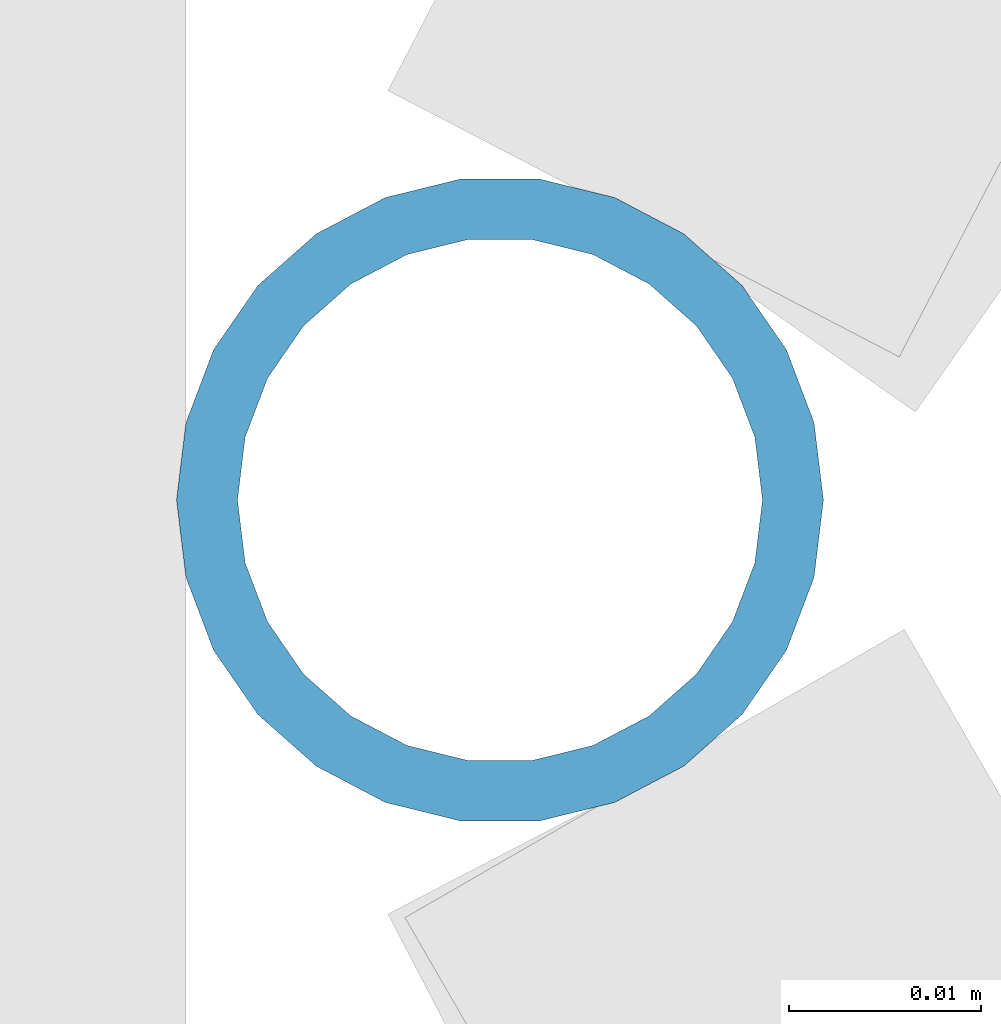
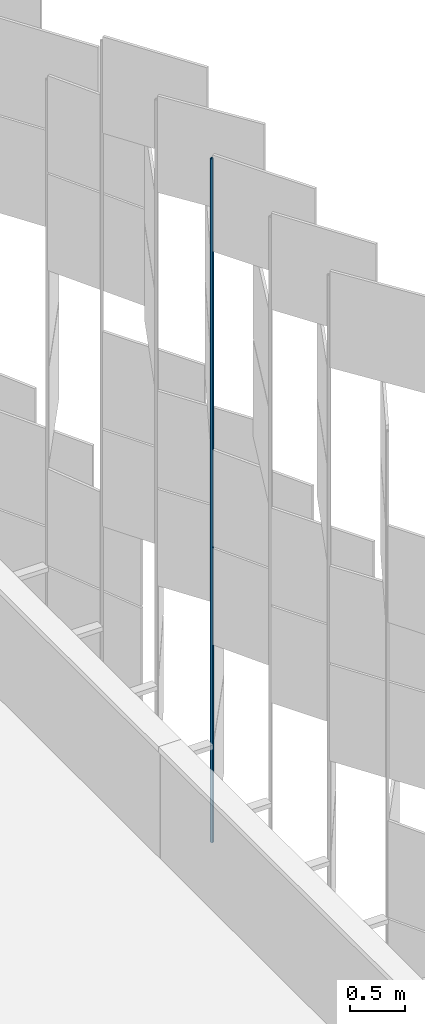
# One storey, part 274 of 483: 1 discrete accessory.
"""IFC4 building model written with IfcOpenShell, lengths in metres."""

from ifc_helpers import new_model, si_unit, direction, frame, origin, origin_2d, place, context, subcontext, project, spatial, hollow_circle, extrude, material, material_profile, profile_set, type_object, element, save


model = new_model("IFC4")

# Units and contexts
model_context = context("Model", 3, precision=1e-05, world=origin(), true_north=direction((0.0, 1.0)))
body_context = subcontext(model_context, "Body", "Model", "MODEL_VIEW")
ifc_project = project(units=[si_unit("LENGTHUNIT", "METRE"), si_unit("AREAUNIT", "SQUARE_METRE"), si_unit("VOLUMEUNIT", "CUBIC_METRE"), si_unit("PLANEANGLEUNIT", "RADIAN"), si_unit("MASSUNIT", "GRAM", prefix="KILO")], contexts=[model_context])

# Site, building, storey
site_placement = place(None, origin())
site = spatial("IfcSite", under=ifc_project, at=site_placement, CompositionType="ELEMENT")
building_placement = place(site_placement, origin())
building = spatial("IfcBuilding", under=site, at=building_placement, Name="Parallax Yard Mobility Hub", CompositionType="ELEMENT")
storey_placement = place(building_placement, frame((0.0, 0.0, 13.199951171875)))
storey = spatial("IfcBuildingStorey", under=building, at=storey_placement, Name="L04", CompositionType="ELEMENT", Elevation=13.199951171875)

# Discrete accessory
ifc_material = material(Name="Steel ASTM A500 Gr C, hot-dip galvanised", Category="steel")
ifc_material_profile = material_profile(ifc_material, hollow_circle(Radius=0.016845703125, WallThickness=0.003173828125, at=origin_2d()), Name="CHS 33.7x3.2")
ifc_profile_set = profile_set([ifc_material_profile], Name="Steel ASTM A500 Gr C, hot-dip galvanised")
discrete_accessory_type = type_object("IfcDiscreteAccessoryType", Name="Hinge post CHS 33.7x3.2", PredefinedType="BRACKET", material=ifc_profile_set)
discrete_accessory_placement = place(storey_placement, frame((225.300048828125, 74.998291015625, 0.0), z_axis=(0.0, 0.0, 1.0), x_axis=(1.0, 0.0, 0.0)))
element("IfcDiscreteAccessory", 1, at=discrete_accessory_placement, inside=storey, type_object=discrete_accessory_type, Name="Hinge post bay 39.1 level L04", PredefinedType="BRACKET", context=body_context, shape_type="SweptSolid", body=[
    extrude(hollow_circle(Radius=0.016845703125, WallThickness=0.003173828125, at=origin_2d()), origin(), (0.0, 0.0, 1.0), 7.650146484375),
])

save(model, "model.ifc")
